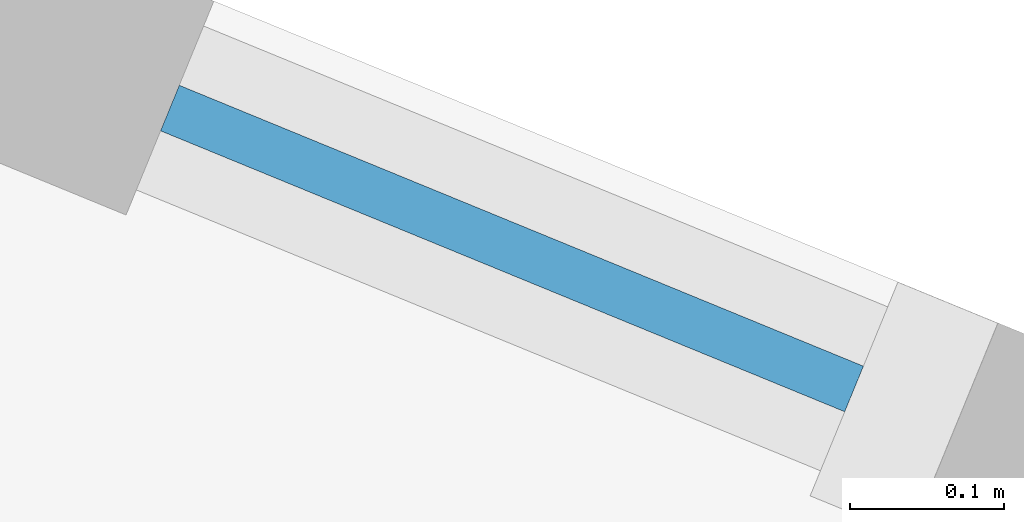
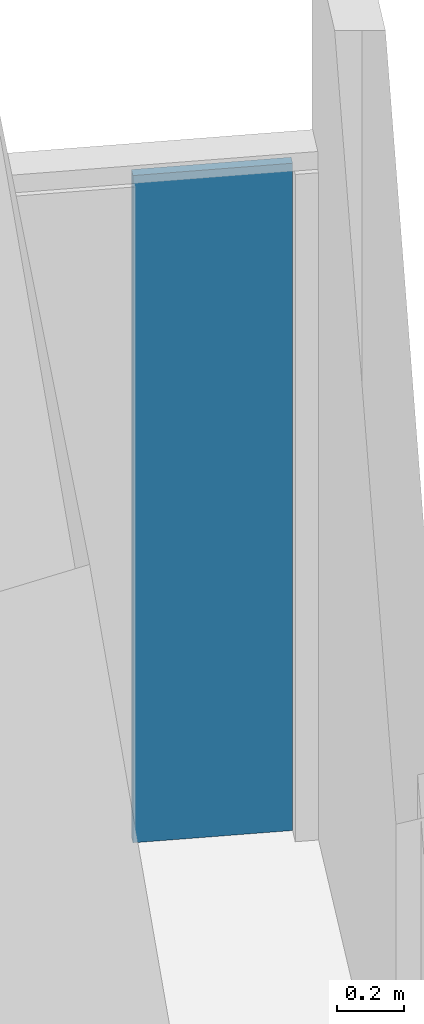
# One storey, part 17 of 27: 1 plate, 1 element without a shape of its own.
"""IFC4 building model written with IfcOpenShell, lengths in metres."""

import ifcopenshell
import ifcopenshell.guid

model = None  # the IFC model being written
_history = None  # IfcOwnerHistory: only IFC2X3 demands one
_inside = {}  # id of a spatial element -> (the spatial element, [elements in it])
_under = {}  # id of a project, library or spatial element -> (it, [spatial elements below it])
_declared = {}  # id of a project -> (the project, [libraries it declares])
_typed = {}  # id of a type object -> (the type object, [elements of that type])
_made_of = {}  # id of a material, layer set ... -> (it, [elements and type objects made of it])


def new_model(schema):
    """Start an empty IFC model of exactly this schema.

    Asked for "IFC4X3", IfcOpenShell would pick the latest addendum, in which some entities
    have other attributes; the version numbers below select the first issue.
    IFC2X3 requires an IfcOwnerHistory on every rooted entity: one is made here for all.
    """
    global model, _history
    if schema == "IFC4X3":
        model = ifcopenshell.file(schema_version=(4, 3, 0, 0))
    else:
        model = ifcopenshell.file(schema=schema)
    _inside.clear()
    _under.clear()
    _declared.clear()
    _typed.clear()
    _made_of.clear()
    _history = None
    if model.schema == "IFC2X3":
        org = make("IfcOrganization", Name="unknown")
        user = make(
            "IfcPersonAndOrganization",
            ThePerson=make("IfcPerson", FamilyName="unknown"),
            TheOrganization=org,
        )
        app = make(
            "IfcApplication",
            ApplicationDeveloper=org,
            Version="unknown",
            ApplicationFullName="unknown",
            ApplicationIdentifier="unknown",
        )
        _history = make(
            "IfcOwnerHistory",
            OwningUser=user,
            OwningApplication=app,
            ChangeAction="ADDED",
            CreationDate=0,
        )
    return model


def make(cls, **values):
    """One entity of the class cls with the attributes given. An attribute that is None is left unset."""
    return model.create_entity(
        cls, **{name: value for name, value in values.items() if value is not None}
    )


def rooted(cls, **values):
    """An entity with a GlobalId (a new one), such as an element, a storey or a relation."""
    return make(cls, GlobalId=ifcopenshell.guid.new(), OwnerHistory=_history, **values)


def si_unit(unit_type, name, prefix=None):
    """IfcSIUnit, for example si_unit("LENGTHUNIT", "METRE", prefix="MILLI")."""
    return make("IfcSIUnit", UnitType=unit_type, Prefix=prefix, Name=name)


def assignment(units):
    """IfcUnitAssignment: the units of a project."""
    return None if units is None else make("IfcUnitAssignment", Units=units)


def point(xyz):
    """IfcCartesianPoint."""
    return None if xyz is None else make("IfcCartesianPoint", Coordinates=xyz)


def direction(xyz):
    """IfcDirection."""
    return None if xyz is None else make("IfcDirection", DirectionRatios=xyz)


def frame(location, z_axis=None, x_axis=None):
    """IfcAxis2Placement3D, a coordinate frame: its origin and axes. An axis left out is left unset."""
    return make(
        "IfcAxis2Placement3D",
        Location=point(location),
        Axis=direction(z_axis),
        RefDirection=direction(x_axis),
    )


def frame_2d(location, x_axis=None):
    """IfcAxis2Placement2D, a coordinate frame in the plane: its origin and x axis."""
    return make(
        "IfcAxis2Placement2D", Location=point(location), RefDirection=direction(x_axis)
    )


def origin():
    """The frame at (0, 0, 0) with its axes left unset."""
    return frame((0.0, 0.0, 0.0))


def origin_2d():
    """The frame at (0, 0) in the plane with its x axis left unset."""
    return frame_2d((0.0, 0.0))


def place(relative_to, where):
    """IfcLocalPlacement: puts the frame where relative to a parent placement (None: the world)."""
    return make(
        "IfcLocalPlacement", PlacementRelTo=relative_to, RelativePlacement=where
    )


def context(
    kind, dimensions, precision=None, world=None, true_north=None, identifier=None
):
    """IfcGeometricRepresentationContext, for example the 3D "Model" context."""
    return make(
        "IfcGeometricRepresentationContext",
        ContextIdentifier=identifier,
        ContextType=kind,
        CoordinateSpaceDimension=dimensions,
        Precision=precision,
        WorldCoordinateSystem=world,
        TrueNorth=true_north,
    )


def subcontext(parent, identifier, kind, view, scale=None):
    """IfcGeometricRepresentationSubContext, for example "Body" below "Model"."""
    return make(
        "IfcGeometricRepresentationSubContext",
        ContextIdentifier=identifier,
        ContextType=kind,
        ParentContext=parent,
        TargetScale=scale,
        TargetView=view,
    )


def project(units=None, contexts=None):
    """IfcProject with its units and contexts."""
    return rooted(
        "IfcProject",
        Name="project",
        RepresentationContexts=contexts,
        UnitsInContext=assignment(units),
    )


def spatial(cls, under=None, at=None, **own):
    """A site, building, storey or space (cls), placed at a placement, below another one or the project."""
    s = rooted(cls, ObjectPlacement=at, **own)
    if under is not None:
        _under.setdefault(under.id(), (under, []))[1].append(s)
    return s


def profile(cls, at=None, kind="AREA", **sizes):
    """A parametric profile (cls). Its sizes go by their IFC names, for example OverallWidth=200.0."""
    return make(cls, ProfileType=kind, Position=at, **sizes)


def rectangle(**sizes):
    """IfcRectangleProfileDef."""
    return profile("IfcRectangleProfileDef", **sizes)


def extrude(swept, where, along, depth):
    """IfcExtrudedAreaSolid: the profile swept, set in the frame where, extruded along a direction by depth."""
    return make(
        "IfcExtrudedAreaSolid",
        SweptArea=swept,
        Position=where,
        ExtrudedDirection=direction(along),
        Depth=depth,
    )


def shape(context_of_items, identifier, shape_type, items):
    """IfcShapeRepresentation: the items that make up one representation, for example the "Body"."""
    return make(
        "IfcShapeRepresentation",
        ContextOfItems=context_of_items,
        RepresentationIdentifier=identifier,
        RepresentationType=shape_type,
        Items=items,
    )


def material(Name=None, Category=None):
    """IfcMaterial."""
    return make("IfcMaterial", Name=Name, Category=Category)


def layer(
    of_material, thickness, ventilated=None, Name=None, Category=None, Priority=None
):
    """IfcMaterialLayer: one layer of a wall or slab, of a material (None: an air gap)."""
    return make(
        "IfcMaterialLayer",
        Material=of_material,
        LayerThickness=thickness,
        IsVentilated=ventilated,
        Name=Name,
        Category=Category,
        Priority=Priority,
    )


def layer_set(layers, Name=None):
    """IfcMaterialLayerSet."""
    return make("IfcMaterialLayerSet", MaterialLayers=layers, LayerSetName=Name)


def made_of(thing, what):
    """Note that an element or type object is made of a material, layer set ...; save() writes the relation."""
    if what is not None:
        _made_of.setdefault(what.id(), (what, []))[1].append(thing)
    return thing


def type_object(cls, material=None, **own):
    """A type object (cls), such as IfcWallType, which elements share."""
    return made_of(rooted(cls, **own), material)


def element(
    cls,
    number,
    at=None,
    inside=None,
    cuts=None,
    type_object=None,
    material=None,
    context=None,
    identifier="Body",
    shape_type=None,
    held_by="IfcProductDefinitionShape",
    body=None,
    shapes=None,
    **own,
):
    """One element of the class cls, such as IfcWall. Its Tag is "e" and its number.

    at: its placement. inside: the storey or other place that contains it. cuts: it is an
    opening in that element (IfcRelVoidsElement). A single representation is given by context,
    identifier, shape_type and body (its items); several are given by shapes. held_by: the class
    of the entity that holds the representations. save() writes the other relations.
    """
    e = rooted(cls, Tag="e%d" % number, ObjectPlacement=at, **own)
    if body is not None:
        shapes = [shape(context, identifier, shape_type, body)]
    if shapes is not None:
        e.Representation = make(held_by, Representations=shapes)
    if inside is not None:
        _inside.setdefault(inside.id(), (inside, []))[1].append(e)
    if cuts is not None:
        rooted(
            "IfcRelVoidsElement", RelatingBuildingElement=cuts, RelatedOpeningElement=e
        )
    if type_object is not None:
        _typed.setdefault(type_object.id(), (type_object, []))[1].append(e)
    return made_of(e, material)


def aggregate(whole, parts):
    """IfcRelAggregates: a whole, such as a stair, and the parts it consists of."""
    return rooted("IfcRelAggregates", RelatingObject=whole, RelatedObjects=parts)


def save(model, path):
    """Write the relations noted so far, then the file.

    IfcRelAggregates (storeys below a building ...), IfcRelContainedInSpatialStructure (elements
    in a storey), IfcRelDefinesByType, IfcRelAssociatesMaterial and IfcRelDeclares: one each for
    every whole, place, type object, material and project.
    """
    for whole, parts in _under.values():
        aggregate(whole, parts)
    for where, things in _inside.values():
        rooted(
            "IfcRelContainedInSpatialStructure",
            RelatedElements=things,
            RelatingStructure=where,
        )
    for kind, things in _typed.values():
        rooted("IfcRelDefinesByType", RelatedObjects=things, RelatingType=kind)
    for what, things in _made_of.values():
        rooted("IfcRelAssociatesMaterial", RelatedObjects=things, RelatingMaterial=what)
    for by, libraries in _declared.values():
        rooted("IfcRelDeclares", RelatingContext=by, RelatedDefinitions=libraries)
    model.write(path)


model = new_model("IFC4")

# Units and contexts
model_context = context("Model", 3, precision=1e-05, world=origin(), true_north=direction((0.0, 1.0)))
body_context = subcontext(model_context, "Body", "Model", "MODEL_VIEW")
ifc_project = project(units=[si_unit("LENGTHUNIT", "METRE"), si_unit("AREAUNIT", "SQUARE_METRE"), si_unit("VOLUMEUNIT", "CUBIC_METRE"), si_unit("PLANEANGLEUNIT", "RADIAN"), si_unit("MASSUNIT", "GRAM", prefix="KILO")], contexts=[model_context])

# Site, building, storey
site_placement = place(None, origin())
site = spatial("IfcSite", under=ifc_project, at=site_placement, CompositionType="ELEMENT")
building_placement = place(site_placement, origin())
building = spatial("IfcBuilding", under=site, at=building_placement, Name="Verdalira Terraces Hotel", CompositionType="ELEMENT")
storey_placement = place(building_placement, frame((0.0, 0.0, 64.5)))
storey = spatial("IfcBuildingStorey", under=building, at=storey_placement, Name="L14", CompositionType="ELEMENT", Elevation=64.5)

# Curtain wall, plate
ifc_material_1 = material(Name="Clear glass", Category="glass")
ifc_layer_1 = layer(ifc_material_1, 0.14990234375)
ifc_layer_set_1 = layer_set([ifc_layer_1], Name="CW2 curtain wall")
curtain_wall_type = type_object("IfcCurtainWallType", Name="CW2 curtain wall", PredefinedType="NOTDEFINED", material=ifc_layer_set_1)
curtain_wall_placement = place(storey_placement, origin())
curtain_wall = element("IfcCurtainWall", 1, at=curtain_wall_placement, inside=storey, type_object=curtain_wall_type, Name="CW2 curtain wall L14 edge 38", PredefinedType="NOTDEFINED")
ifc_material_2 = material(Name="Clear glass", Category="glass")
ifc_layer_2 = layer(ifc_material_2, 0.031982421875)
ifc_layer_set_2 = layer_set([ifc_layer_2], Name="CW2 glass unit 32")
plate_type = type_object("IfcPlateType", Name="CW2 glass unit 32", PredefinedType="CURTAIN_PANEL", material=ifc_layer_set_2)
plate_placement = place(storey_placement, frame((33.355469, -6.748291, 0.0), z_axis=(0.0, 0.0, 1.0), x_axis=(-0.925077207, 0.379779096, 0.0)))
plate = element("IfcPlate", 2, at=plate_placement, type_object=plate_type, Name="CW2 glass unit", PredefinedType="CURTAIN_PANEL", context=body_context, shape_type="SweptSolid", body=[
    extrude(rectangle(XDim=0.47998, YDim=0.031982, at=origin_2d()), origin(), (0.0, 0.0, 1.0), 2.425049),
])
aggregate(curtain_wall, [plate])

save(model, "model.ifc")
